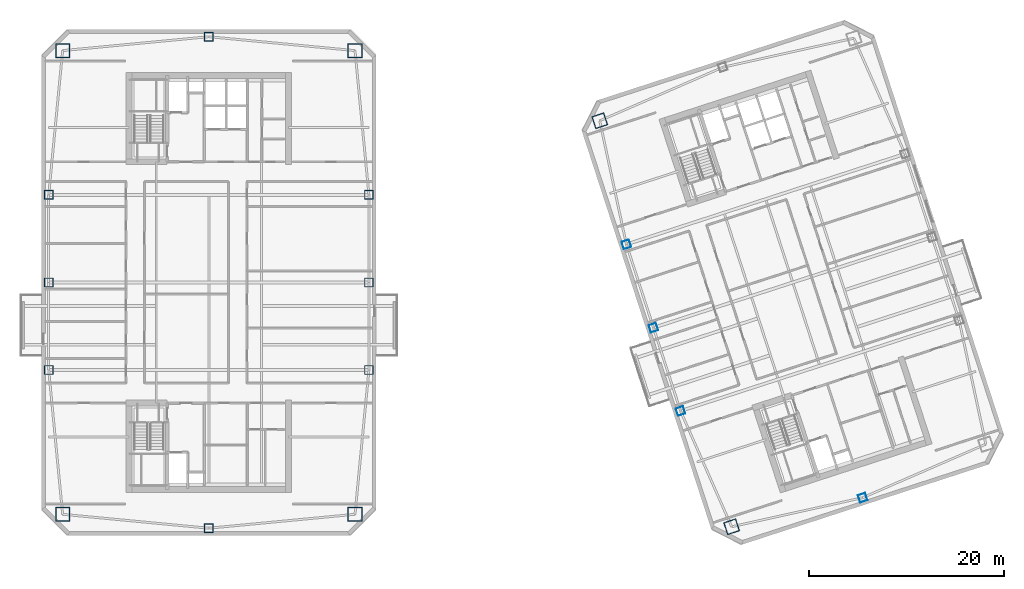
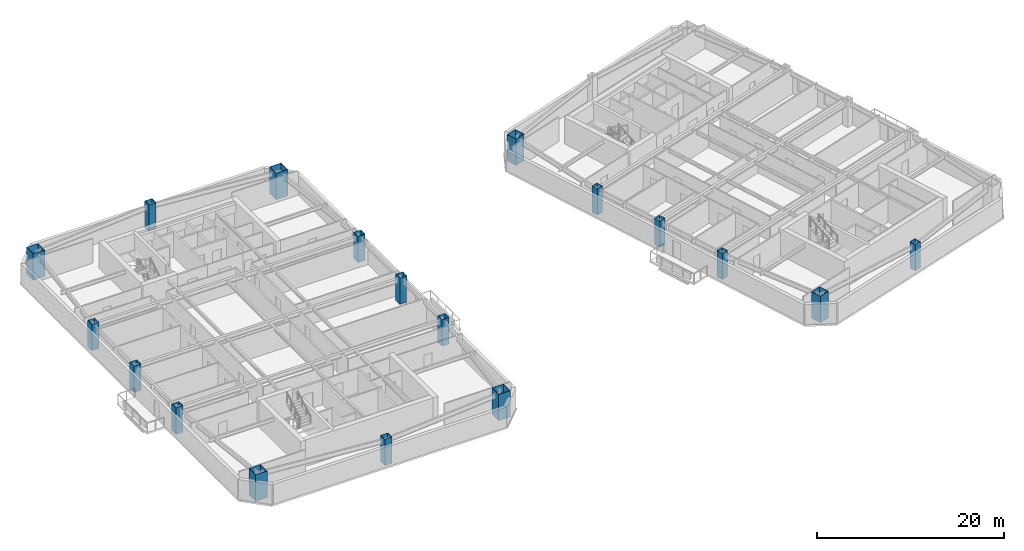
# One storey, part 1 of 15: 18 columns.
"""IFC4 building model written with IfcOpenShell, lengths in metres."""

from ifc_helpers import new_model, si_unit, direction, frame, origin, origin_2d, place, context, subcontext, project, spatial, hollow_rectangle, extrude, material, material_profile, profile_set, type_object, element, save


model = new_model("IFC4")

# Units and contexts
model_context = context("Model", 3, precision=1e-05, world=origin(), true_north=direction((0.0, 1.0)))
body_context = subcontext(model_context, "Body", "Model", "MODEL_VIEW")
ifc_project = project(units=[si_unit("LENGTHUNIT", "METRE"), si_unit("AREAUNIT", "SQUARE_METRE"), si_unit("VOLUMEUNIT", "CUBIC_METRE"), si_unit("PLANEANGLEUNIT", "RADIAN"), si_unit("MASSUNIT", "GRAM", prefix="KILO")], contexts=[model_context])

# Site, building, storey
site_placement = place(None, origin())
site = spatial("IfcSite", under=ifc_project, at=site_placement, CompositionType="ELEMENT")
building_placement = place(site_placement, origin())
building = spatial("IfcBuilding", under=site, at=building_placement, Name="Qiaolan Cultural Towers", CompositionType="ELEMENT")
storey_placement = place(building_placement, frame((0.0, 0.0, 166.75)))
storey = spatial("IfcBuildingStorey", under=building, at=storey_placement, Name="L44", CompositionType="ELEMENT", Elevation=166.75)

# Columns
ifc_material_1 = material(Name="Steel Q390GJB", Category="steel")
ifc_material_profile_1 = material_profile(ifc_material_1, hollow_rectangle(XDim=1.300048828125, YDim=1.300048828125, WallThickness=0.044921875, at=origin_2d()), Name="BOX1300x1300x45")
ifc_profile_set_1 = profile_set([ifc_material_profile_1], Name="Steel Q390GJB")
column_type_1 = type_object("IfcColumnType", Name="COL-BOX1300x1300x45", PredefinedType="COLUMN", material=ifc_profile_set_1)
for number, where, z_axis, x_axis, name in (
    (1, (83.71875, 8.900634765625, 0.0), (0.0, 0.0, 1.0), (0.951056516295, 0.309016994375, 0.0), "L44 T2 Perimeter Column MC-SW"),
    (2, (70.165283203125, 50.61376953125, 0.0), (0.0, 0.0, 1.0), (0.951056516295, 0.309016994375, 0.0), "L44 T2 Perimeter Column MC-NW"),
):
    element("IfcColumn", number, at=place(storey_placement, frame(where, z_axis=z_axis, x_axis=x_axis)), inside=storey, type_object=column_type_1, Name=name, PredefinedType="COLUMN", context=body_context, shape_type="SweptSolid", body=[
        extrude(hollow_rectangle(XDim=1.300048828125, YDim=1.300048828125, WallThickness=0.044921875, at=origin_2d()), origin(), (0.0, 0.0, 1.0), 3.450927734375),
    ])
ifc_material_2 = material(Name="Steel Q420GJB", Category="steel")
ifc_material_profile_2 = material_profile(ifc_material_2, hollow_rectangle(XDim=1.449951171875, YDim=1.449951171875, WallThickness=0.050048828125, at=origin_2d()), Name="BOX1450x1450x50")
ifc_profile_set_2 = profile_set([ifc_material_profile_2], Name="Steel Q420GJB")
column_type_2 = type_object("IfcColumnType", Name="COL-BOX1450x1450x50", PredefinedType="COLUMN", material=ifc_profile_set_2)
for number, where, z_axis, x_axis, name in (
    (3, (14.97998046875, 10.179931640625, 0.0), (0.0, 0.0, 1.0), (1.0, 0.0, 0.0), "L44 T1 Perimeter Column MC-SW"),
    (4, (45.02001953125, 10.179931640625, 0.0), (0.0, 0.0, 1.0), (1.0, 0.0, 0.0), "L44 T1 Perimeter Column MC-SE"),
    (5, (45.02001953125, 57.820068359375, 0.0), (0.0, 0.0, 1.0), (1.0, 0.0, 0.0), "L44 T1 Perimeter Column MC-NE"),
    (6, (14.97998046875, 57.820068359375, 0.0), (0.0, 0.0, 1.0), (1.0, 0.0, 0.0), "L44 T1 Perimeter Column MC-NW"),
):
    element("IfcColumn", number, at=place(storey_placement, frame(where, z_axis=z_axis, x_axis=x_axis)), inside=storey, type_object=column_type_2, Name=name, PredefinedType="COLUMN", context=body_context, shape_type="SweptSolid", body=[
        extrude(hollow_rectangle(XDim=1.449951171875, YDim=1.449951171875, WallThickness=0.050048828125, at=origin_2d()), origin(), (0.0, 0.0, 1.0), 3.450927734375),
    ])
ifc_material_3 = material(Name="Steel Q355B", Category="steel")
ifc_material_profile_3 = material_profile(ifc_material_3, hollow_rectangle(XDim=0.800048828125, YDim=0.800048828125, WallThickness=0.028076171875, at=origin_2d()), Name="BOX800x800x28")
ifc_profile_set_3 = profile_set([ifc_material_profile_3], Name="Steel Q355B")
column_type_3 = type_object("IfcColumnType", Name="COL-BOX800x800x28", PredefinedType="COLUMN", material=ifc_profile_set_3)
for number, where, z_axis, x_axis, name in (
    (7, (78.4677734375, 20.789794921875, 0.0), (0.0, 0.0, 1.0), (0.951056516295, 0.309016994375, 0.0), "L44 T2 Perimeter Column PC-W1"),
    (8, (75.6865234375, 29.349365234375, 0.0), (0.0, 0.0, 1.0), (0.951056516295, 0.309016994375, 0.0), "L44 T2 Perimeter Column PC-W2"),
    (9, (72.905517578125, 37.90869140625, 0.0), (0.0, 0.0, 1.0), (0.951056516295, 0.309016994375, 0.0), "L44 T2 Perimeter Column PC-W3"),
    (10, (97.1845703125, 11.887939453125, 0.0), (0.0, 0.0, 1.0), (0.951056516295, 0.309016994375, 0.0), "L44 T2 Perimeter Column PC-S0"),
):
    element("IfcColumn", number, at=place(storey_placement, frame(where, z_axis=z_axis, x_axis=x_axis)), inside=storey, type_object=column_type_3, Name=name, PredefinedType="COLUMN", context=body_context, shape_type="SweptSolid", body=[
        extrude(hollow_rectangle(XDim=0.800048828125, YDim=0.800048828125, WallThickness=0.028076171875, at=origin_2d()), origin(), (0.0, 0.0, 1.0), 3.450927734375),
    ])
ifc_material_4 = material(Name="Steel Q355B", Category="steel")
ifc_material_profile_4 = material_profile(ifc_material_4, hollow_rectangle(XDim=0.89990234375, YDim=0.89990234375, WallThickness=0.031982421875, at=origin_2d()), Name="BOX900x900x32")
ifc_profile_set_4 = profile_set([ifc_material_profile_4], Name="Steel Q355B")
column_type_4 = type_object("IfcColumnType", Name="COL-BOX900x900x32", PredefinedType="COLUMN", material=ifc_profile_set_4)
for number, where, z_axis, x_axis, name in (
    (11, (13.550048828125, 25.0, 0.0), (0.0, 0.0, 1.0), (1.0, 0.0, 0.0), "L44 T1 Perimeter Column PC-W1"),
    (12, (13.550048828125, 34.0, 0.0), (0.0, 0.0, 1.0), (1.0, 0.0, 0.0), "L44 T1 Perimeter Column PC-W2"),
    (13, (13.550048828125, 43.0, 0.0), (0.0, 0.0, 1.0), (1.0, 0.0, 0.0), "L44 T1 Perimeter Column PC-W3"),
    (14, (46.449951171875, 25.0, 0.0), (0.0, 0.0, 1.0), (1.0, 0.0, 0.0), "L44 T1 Perimeter Column PC-E1"),
    (15, (46.449951171875, 34.0, 0.0), (0.0, 0.0, 1.0), (1.0, 0.0, 0.0), "L44 T1 Perimeter Column PC-E2"),
    (16, (46.449951171875, 43.0, 0.0), (0.0, 0.0, 1.0), (1.0, 0.0, 0.0), "L44 T1 Perimeter Column PC-E3"),
    (17, (30.0, 8.75, 0.0), (0.0, 0.0, 1.0), (1.0, 0.0, 0.0), "L44 T1 Perimeter Column PC-S0"),
    (18, (30.0, 59.25, 0.0), (0.0, 0.0, 1.0), (1.0, 0.0, 0.0), "L44 T1 Perimeter Column PC-N0"),
):
    element("IfcColumn", number, at=place(storey_placement, frame(where, z_axis=z_axis, x_axis=x_axis)), inside=storey, type_object=column_type_4, Name=name, PredefinedType="COLUMN", context=body_context, shape_type="SweptSolid", body=[
        extrude(hollow_rectangle(XDim=0.89990234375, YDim=0.89990234375, WallThickness=0.031982421875, at=origin_2d()), origin(), (0.0, 0.0, 1.0), 3.450927734375),
    ])

save(model, "model.ifc")
